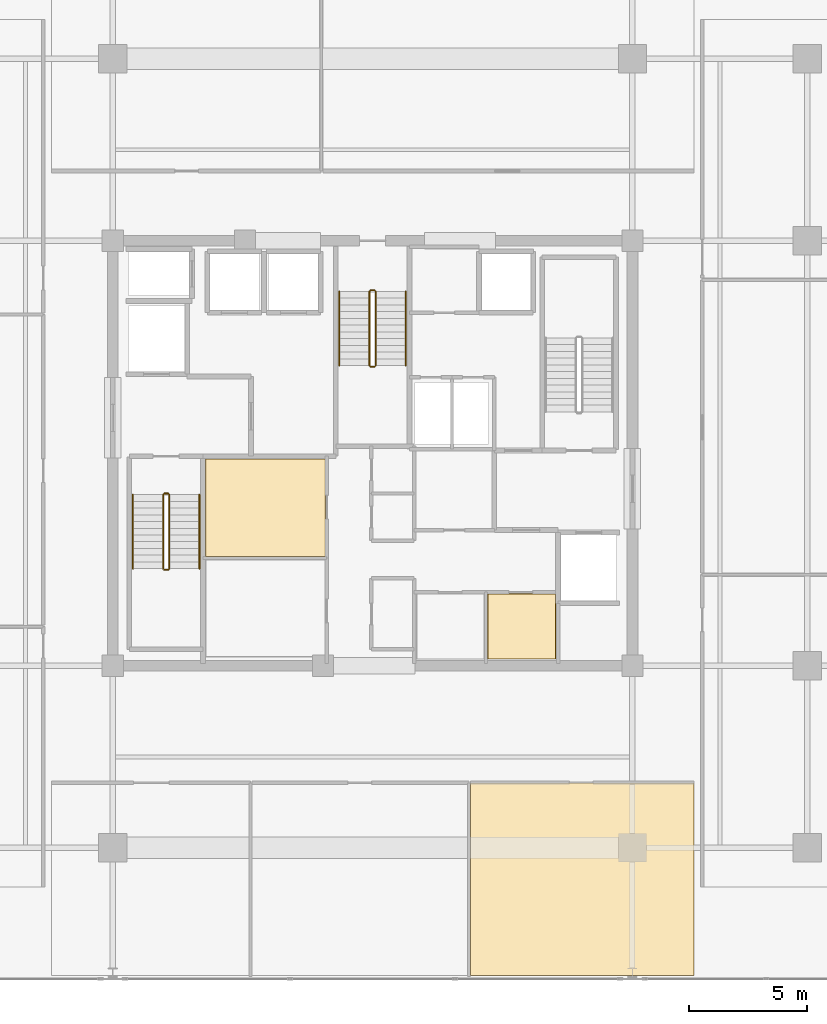
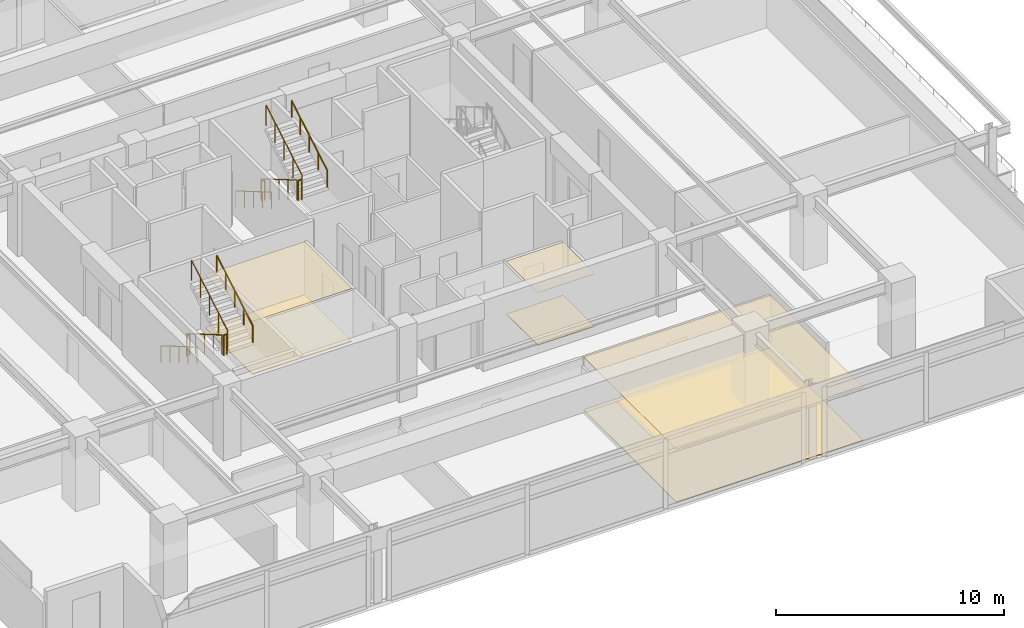
# One storey, part 18 of 20: 12 railings, 6 coverings.
"""IFC4 building model written with IfcOpenShell, lengths in metres."""

from ifc_helpers import new_model, si_unit, direction, frame, origin, origin_2d, place, context, subcontext, project, spatial, polyline, circle, outline, extrude, material, layer, layer_set, type_object, element, save


model = new_model("IFC4")

# Units and contexts
model_context = context("Model", 3, precision=1e-05, world=origin(), true_north=direction((0.0, 1.0)))
body_context = subcontext(model_context, "Body", "Model", "MODEL_VIEW")
ifc_project = project(units=[si_unit("LENGTHUNIT", "METRE"), si_unit("AREAUNIT", "SQUARE_METRE"), si_unit("VOLUMEUNIT", "CUBIC_METRE"), si_unit("PLANEANGLEUNIT", "RADIAN"), si_unit("MASSUNIT", "GRAM", prefix="KILO")], contexts=[model_context])

# Site, building, storey
site_placement = place(None, origin())
site = spatial("IfcSite", under=ifc_project, at=site_placement, CompositionType="ELEMENT")
building_placement = place(site_placement, origin())
building = spatial("IfcBuilding", under=site, at=building_placement, Name="Kovane Verandah Tower", CompositionType="ELEMENT")
storey_placement = place(building_placement, frame((0.0, 0.0, 279.199951171875)))
storey = spatial("IfcBuildingStorey", under=building, at=storey_placement, Name="L65", CompositionType="ELEMENT", Elevation=279.199951171875)

# Coverings
ifc_material_1 = material(Name="Perforated Acoustic Mineral-Fibre Ceiling Tile", Category="gypsum")
ifc_layer_1 = layer(ifc_material_1, 0.02490234375)
ifc_layer_set_1 = layer_set([ifc_layer_1], Name="Perforated Acoustic Mineral-Fibre Ceiling Tile")
covering_type_1 = type_object("IfcCoveringType", Name="CV-CEIL-25", PredefinedType="CEILING", material=ifc_layer_set_1)
covering_1_placement = place(storey_placement, frame((0.0, 0.0, 2.824951171875)))
element("IfcCovering", 1, at=covering_1_placement, inside=storey, type_object=covering_type_1, Name="L65 Telecom MDF Room Acoustic Ceiling", PredefinedType="CEILING", context=body_context, shape_type="SweptSolid", body=[
    extrude(outline(polyline([(32.93505859375, 23.125), (37.9951171875, 23.125), (37.9951171875, 27.264892578125), (32.93505859375, 27.264892578125), (32.93505859375, 23.125)])), origin(), (0.0, 0.0, 1.0), 0.025146484375),
])
covering_2_placement = place(storey_placement, frame((0.0, 0.0, 2.824951171875)))
element("IfcCovering", 2, at=covering_2_placement, inside=storey, type_object=covering_type_1, Name="L65 East IT Server Room Acoustic Ceiling", PredefinedType="CEILING", context=body_context, shape_type="SweptSolid", body=[
    extrude(outline(polyline([(44.864990234375, 18.784912109375), (47.764892578125, 18.784912109375), (47.764892578125, 21.56494140625), (44.864990234375, 21.56494140625), (44.864990234375, 18.784912109375)])), origin(), (0.0, 0.0, 1.0), 0.025146484375),
])
covering_3_placement = place(storey_placement, frame((0.0, 0.0, 2.824951171875)))
element("IfcCovering", 3, at=covering_3_placement, inside=storey, type_object=covering_type_1, Name="L65 Focus Studio S3 Acoustic Ceiling", PredefinedType="CEILING", context=body_context, shape_type="SweptSolid", body=[
    extrude(outline(polyline([(44.14990234375, 5.393798828125), (53.60009765625, 5.393798828125), (53.60009765625, 13.550048828125), (44.14990234375, 13.550048828125), (44.14990234375, 5.393798828125)])), origin(), (0.0, 0.0, 1.0), 0.025146484375),
])
ifc_material_2 = material(Name="Polished Terrazzo and Raised-Access Carpet Tile Finish", Category="concrete")
ifc_layer_2 = layer(ifc_material_2, 0.030029296875)
ifc_layer_set_2 = layer_set([ifc_layer_2], Name="Polished Terrazzo and Raised-Access Carpet Tile Finish")
covering_type_2 = type_object("IfcCoveringType", Name="CV-FLOR-30", PredefinedType="FLOORING", material=ifc_layer_set_2)
covering_4_placement = place(storey_placement, origin())
element("IfcCovering", 4, at=covering_4_placement, inside=storey, type_object=covering_type_2, Name="L65 Telecom MDF Room Floor Finish", PredefinedType="FLOORING", context=body_context, shape_type="SweptSolid", body=[
    extrude(outline(polyline([(32.949951171875, 23.139892578125), (37.97998046875, 23.139892578125), (37.97998046875, 27.25), (32.949951171875, 27.25), (32.949951171875, 23.139892578125)])), origin(), (0.0, 0.0, 1.0), 0.030029296875),
])
covering_5_placement = place(storey_placement, origin())
element("IfcCovering", 5, at=covering_5_placement, inside=storey, type_object=covering_type_2, Name="L65 East IT Server Room Floor Finish", PredefinedType="FLOORING", context=body_context, shape_type="SweptSolid", body=[
    extrude(outline(polyline([(44.8798828125, 18.800048828125), (47.75, 18.800048828125), (47.75, 21.550048828125), (44.8798828125, 21.550048828125), (44.8798828125, 18.800048828125)])), origin(), (0.0, 0.0, 1.0), 0.030029296875),
])
covering_6_placement = place(storey_placement, origin())
element("IfcCovering", 6, at=covering_6_placement, inside=storey, type_object=covering_type_2, Name="L65 Focus Studio S3 Floor Finish", PredefinedType="FLOORING", context=body_context, shape_type="SweptSolid", body=[
    extrude(outline(polyline([(44.14990234375, 5.393798828125), (53.60009765625, 5.393798828125), (53.60009765625, 13.550048828125), (44.14990234375, 13.550048828125), (44.14990234375, 5.393798828125)])), origin(), (0.0, 0.0, 1.0), 0.030029296875),
])

# Railings
ifc_material_3 = material(Name="Brushed Stainless Steel Handrail", Category="steel")
railing_type_1 = type_object("IfcRailingType", Name="RL-HAND-920", PredefinedType="HANDRAIL", material=ifc_material_3)
railing_1_placement = place(storey_placement, frame((29.85009765625, 25.75, 0.166748046875)))
element("IfcRailing", 7, at=railing_1_placement, inside=storey, type_object=railing_type_1, Name="L65 ST-01 stair handrail 1", PredefinedType="HANDRAIL", context=body_context, shape_type="SweptSolid", body=[
    extrude(circle(Radius=0.02392578125, at=origin_2d()), frame((0.0, 0.0, 0.8759765625), z_axis=(0.0, -0.863239559939, 0.504794475164), x_axis=(1.0, 0.0, 0.0)), (0.0, 0.0, 1.0), 3.631591796875),
    extrude(circle(Radius=0.02099609375, at=origin_2d()), origin(), (0.0, 0.0, 1.0), 0.851806640625),
    extrude(circle(Radius=0.02099609375, at=origin_2d()), frame((0.0, -0.78369140625, 0.458251953125)), (0.0, 0.0, 1.0), 0.851806640625),
    extrude(circle(Radius=0.02099609375, at=origin_2d()), frame((0.0, -1.5673828125, 0.91650390625)), (0.0, 0.0, 1.0), 0.851806640625),
    extrude(circle(Radius=0.02099609375, at=origin_2d()), frame((0.0, -2.351318359375, 1.375)), (0.0, 0.0, 1.0), 0.851806640625),
    extrude(circle(Radius=0.02099609375, at=origin_2d()), frame((0.0, -3.135009765625, 1.833251953125)), (0.0, 0.0, 1.0), 0.851806640625),
])
railing_2_placement = place(storey_placement, frame((32.669921875, 22.614990234375, 2.166748046875)))
element("IfcRailing", 8, at=railing_2_placement, inside=storey, type_object=railing_type_1, Name="L65 ST-01 stair handrail 2", PredefinedType="HANDRAIL", context=body_context, shape_type="SweptSolid", body=[
    extrude(circle(Radius=0.02392578125, at=origin_2d()), frame((0.0, 0.0, 0.8759765625), z_axis=(0.0, 0.863239559939, 0.504794475164), x_axis=(-1.0, 0.0, 0.0)), (0.0, 0.0, 1.0), 3.631591796875),
    extrude(circle(Radius=0.02099609375, at=origin_2d()), origin(), (0.0, 0.0, 1.0), 0.851806640625),
    extrude(circle(Radius=0.02099609375, at=origin_2d()), frame((0.0, 0.78369140625, 0.458251953125)), (0.0, 0.0, 1.0), 0.851806640625),
    extrude(circle(Radius=0.02099609375, at=origin_2d()), frame((0.0, 1.5673828125, 0.91650390625)), (0.0, 0.0, 1.0), 0.851806640625),
    extrude(circle(Radius=0.02099609375, at=origin_2d()), frame((0.0, 2.351318359375, 1.375)), (0.0, 0.0, 1.0), 0.851806640625),
    extrude(circle(Radius=0.02099609375, at=origin_2d()), frame((0.0, 3.135009765625, 1.833251953125)), (0.0, 0.0, 1.0), 0.851806640625),
])
railing_3_placement = place(storey_placement, frame((38.590087890625, 34.35009765625, 0.166748046875)))
element("IfcRailing", 9, at=railing_3_placement, inside=storey, type_object=railing_type_1, Name="L65 ST-03 stair handrail 1", PredefinedType="HANDRAIL", context=body_context, shape_type="SweptSolid", body=[
    extrude(circle(Radius=0.02392578125, at=origin_2d()), frame((0.0, 0.0, 0.8759765625), z_axis=(0.0, -0.863239559939, 0.504794475164), x_axis=(1.0, 0.0, 0.0)), (0.0, 0.0, 1.0), 3.631591796875),
    extrude(circle(Radius=0.02099609375, at=origin_2d()), origin(), (0.0, 0.0, 1.0), 0.851806640625),
    extrude(circle(Radius=0.02099609375, at=origin_2d()), frame((0.0, -0.78369140625, 0.458251953125)), (0.0, 0.0, 1.0), 0.851806640625),
    extrude(circle(Radius=0.02099609375, at=origin_2d()), frame((0.0, -1.5673828125, 0.91650390625)), (0.0, 0.0, 1.0), 0.851806640625),
    extrude(circle(Radius=0.02099609375, at=origin_2d()), frame((0.0, -2.351318359375, 1.375)), (0.0, 0.0, 1.0), 0.851806640625),
    extrude(circle(Radius=0.02099609375, at=origin_2d()), frame((0.0, -3.135009765625, 1.833251953125)), (0.0, 0.0, 1.0), 0.851806640625),
])
railing_4_placement = place(storey_placement, frame((41.409912109375, 31.215087890625, 2.166748046875)))
element("IfcRailing", 10, at=railing_4_placement, inside=storey, type_object=railing_type_1, Name="L65 ST-03 stair handrail 2", PredefinedType="HANDRAIL", context=body_context, shape_type="SweptSolid", body=[
    extrude(circle(Radius=0.02392578125, at=origin_2d()), frame((0.0, 0.0, 0.8759765625), z_axis=(0.0, 0.863239559939, 0.504794475164), x_axis=(-1.0, 0.0, 0.0)), (0.0, 0.0, 1.0), 3.631591796875),
    extrude(circle(Radius=0.02099609375, at=origin_2d()), origin(), (0.0, 0.0, 1.0), 0.851806640625),
    extrude(circle(Radius=0.02099609375, at=origin_2d()), frame((0.0, 0.78369140625, 0.458251953125)), (0.0, 0.0, 1.0), 0.851806640625),
    extrude(circle(Radius=0.02099609375, at=origin_2d()), frame((0.0, 1.5673828125, 0.91650390625)), (0.0, 0.0, 1.0), 0.851806640625),
    extrude(circle(Radius=0.02099609375, at=origin_2d()), frame((0.0, 2.351318359375, 1.375)), (0.0, 0.0, 1.0), 0.851806640625),
    extrude(circle(Radius=0.02099609375, at=origin_2d()), frame((0.0, 3.135009765625, 1.833251953125)), (0.0, 0.0, 1.0), 0.851806640625),
])
ifc_material_4 = material(Name="Painted Steel Stairwell Guardrail", Category="steel")
railing_type_2 = type_object("IfcRailingType", Name="RL-STGUARD-1120", PredefinedType="GUARDRAIL", material=ifc_material_4)
railing_5_placement = place(storey_placement, frame((31.1298828125, 25.75, 0.166748046875)))
element("IfcRailing", 11, at=railing_5_placement, inside=storey, type_object=railing_type_2, Name="L65 ST-01 stair guard 1", PredefinedType="GUARDRAIL", context=body_context, shape_type="SweptSolid", body=[
    extrude(circle(Radius=0.02392578125, at=origin_2d()), frame((0.0, 0.0, 1.076171875), z_axis=(0.0, -0.863239559939, 0.504794475164), x_axis=(1.0, 0.0, 0.0)), (0.0, 0.0, 1.0), 3.631591796875),
    extrude(circle(Radius=0.02099609375, at=origin_2d()), origin(), (0.0, 0.0, 1.0), 1.052001953125),
    extrude(circle(Radius=0.02099609375, at=origin_2d()), frame((0.0, -0.78369140625, 0.458251953125)), (0.0, 0.0, 1.0), 1.052001953125),
    extrude(circle(Radius=0.02099609375, at=origin_2d()), frame((0.0, -1.5673828125, 0.91650390625)), (0.0, 0.0, 1.0), 1.052001953125),
    extrude(circle(Radius=0.02099609375, at=origin_2d()), frame((0.0, -2.351318359375, 1.375)), (0.0, 0.0, 1.0), 1.052001953125),
    extrude(circle(Radius=0.02099609375, at=origin_2d()), frame((0.0, -3.135009765625, 1.833251953125)), (0.0, 0.0, 1.0), 1.052001953125),
])
railing_6_placement = place(storey_placement, frame((31.179931640625, 22.56494140625, 2.0)))
element("IfcRailing", 12, at=railing_6_placement, inside=storey, type_object=railing_type_2, Name="L65 ST-01 stair guard 2", PredefinedType="GUARDRAIL", context=body_context, shape_type="SweptSolid", body=[
    extrude(circle(Radius=0.02392578125, at=origin_2d()), frame((0.0, 0.0, 1.076171875), z_axis=(1.0, 0.0, 0.0), x_axis=(0.0, 1.0, 0.0)), (0.0, 0.0, 1.0), 0.16015625),
    extrude(circle(Radius=0.02099609375, at=origin_2d()), origin(), (0.0, 0.0, 1.0), 1.052001953125),
    extrude(circle(Radius=0.02099609375, at=origin_2d()), frame((0.16015625, 0.0, 0.0)), (0.0, 0.0, 1.0), 1.052001953125),
])
railing_7_placement = place(storey_placement, frame((31.389892578125, 22.614990234375, 2.166748046875)))
element("IfcRailing", 13, at=railing_7_placement, inside=storey, type_object=railing_type_2, Name="L65 ST-01 stair guard 3", PredefinedType="GUARDRAIL", context=body_context, shape_type="SweptSolid", body=[
    extrude(circle(Radius=0.02392578125, at=origin_2d()), frame((0.0, 0.0, 1.076171875), z_axis=(0.0, 0.863239559939, 0.504794475164), x_axis=(-1.0, 0.0, 0.0)), (0.0, 0.0, 1.0), 3.631591796875),
    extrude(circle(Radius=0.02099609375, at=origin_2d()), origin(), (0.0, 0.0, 1.0), 1.052001953125),
    extrude(circle(Radius=0.02099609375, at=origin_2d()), frame((0.0, 0.78369140625, 0.458251953125)), (0.0, 0.0, 1.0), 1.052001953125),
    extrude(circle(Radius=0.02099609375, at=origin_2d()), frame((0.0, 1.5673828125, 0.91650390625)), (0.0, 0.0, 1.0), 1.052001953125),
    extrude(circle(Radius=0.02099609375, at=origin_2d()), frame((0.0, 2.351318359375, 1.375)), (0.0, 0.0, 1.0), 1.052001953125),
    extrude(circle(Radius=0.02099609375, at=origin_2d()), frame((0.0, 3.135009765625, 1.833251953125)), (0.0, 0.0, 1.0), 1.052001953125),
])
railing_8_placement = place(storey_placement, frame((31.179931640625, 25.800048828125, 0.0)))
element("IfcRailing", 14, at=railing_8_placement, inside=storey, type_object=railing_type_2, Name="L65 ST-01 stair guard 4", PredefinedType="GUARDRAIL", context=body_context, shape_type="SweptSolid", body=[
    extrude(circle(Radius=0.02392578125, at=origin_2d()), frame((0.0, 0.0, 1.076171875), z_axis=(1.0, 0.0, 0.0), x_axis=(0.0, 1.0, 0.0)), (0.0, 0.0, 1.0), 0.16015625),
    extrude(circle(Radius=0.02099609375, at=origin_2d()), origin(), (0.0, 0.0, 1.0), 1.052001953125),
    extrude(circle(Radius=0.02099609375, at=origin_2d()), frame((0.16015625, 0.0, 0.0)), (0.0, 0.0, 1.0), 1.052001953125),
])
railing_9_placement = place(storey_placement, frame((39.8701171875, 34.35009765625, 0.166748046875)))
element("IfcRailing", 15, at=railing_9_placement, inside=storey, type_object=railing_type_2, Name="L65 ST-03 stair guard 1", PredefinedType="GUARDRAIL", context=body_context, shape_type="SweptSolid", body=[
    extrude(circle(Radius=0.02392578125, at=origin_2d()), frame((0.0, 0.0, 1.076171875), z_axis=(0.0, -0.863239559939, 0.504794475164), x_axis=(1.0, 0.0, 0.0)), (0.0, 0.0, 1.0), 3.631591796875),
    extrude(circle(Radius=0.02099609375, at=origin_2d()), origin(), (0.0, 0.0, 1.0), 1.052001953125),
    extrude(circle(Radius=0.02099609375, at=origin_2d()), frame((0.0, -0.78369140625, 0.458251953125)), (0.0, 0.0, 1.0), 1.052001953125),
    extrude(circle(Radius=0.02099609375, at=origin_2d()), frame((0.0, -1.5673828125, 0.91650390625)), (0.0, 0.0, 1.0), 1.052001953125),
    extrude(circle(Radius=0.02099609375, at=origin_2d()), frame((0.0, -2.351318359375, 1.375)), (0.0, 0.0, 1.0), 1.052001953125),
    extrude(circle(Radius=0.02099609375, at=origin_2d()), frame((0.0, -3.135009765625, 1.833251953125)), (0.0, 0.0, 1.0), 1.052001953125),
])
railing_10_placement = place(storey_placement, frame((39.919921875, 31.1650390625, 2.0)))
element("IfcRailing", 16, at=railing_10_placement, inside=storey, type_object=railing_type_2, Name="L65 ST-03 stair guard 2", PredefinedType="GUARDRAIL", context=body_context, shape_type="SweptSolid", body=[
    extrude(circle(Radius=0.02392578125, at=origin_2d()), frame((0.0, 0.0, 1.076171875), z_axis=(1.0, 0.0, 0.0), x_axis=(0.0, 1.0, 0.0)), (0.0, 0.0, 1.0), 0.16015625),
    extrude(circle(Radius=0.02099609375, at=origin_2d()), origin(), (0.0, 0.0, 1.0), 1.052001953125),
    extrude(circle(Radius=0.02099609375, at=origin_2d()), frame((0.16015625, 0.0, 0.0)), (0.0, 0.0, 1.0), 1.052001953125),
])
railing_11_placement = place(storey_placement, frame((40.1298828125, 31.215087890625, 2.166748046875)))
element("IfcRailing", 17, at=railing_11_placement, inside=storey, type_object=railing_type_2, Name="L65 ST-03 stair guard 3", PredefinedType="GUARDRAIL", context=body_context, shape_type="SweptSolid", body=[
    extrude(circle(Radius=0.02392578125, at=origin_2d()), frame((0.0, 0.0, 1.076171875), z_axis=(0.0, 0.863239559939, 0.504794475164), x_axis=(-1.0, 0.0, 0.0)), (0.0, 0.0, 1.0), 3.631591796875),
    extrude(circle(Radius=0.02099609375, at=origin_2d()), origin(), (0.0, 0.0, 1.0), 1.052001953125),
    extrude(circle(Radius=0.02099609375, at=origin_2d()), frame((0.0, 0.78369140625, 0.458251953125)), (0.0, 0.0, 1.0), 1.052001953125),
    extrude(circle(Radius=0.02099609375, at=origin_2d()), frame((0.0, 1.5673828125, 0.91650390625)), (0.0, 0.0, 1.0), 1.052001953125),
    extrude(circle(Radius=0.02099609375, at=origin_2d()), frame((0.0, 2.351318359375, 1.375)), (0.0, 0.0, 1.0), 1.052001953125),
    extrude(circle(Radius=0.02099609375, at=origin_2d()), frame((0.0, 3.135009765625, 1.833251953125)), (0.0, 0.0, 1.0), 1.052001953125),
])
railing_12_placement = place(storey_placement, frame((39.919921875, 34.39990234375, 0.0)))
element("IfcRailing", 18, at=railing_12_placement, inside=storey, type_object=railing_type_2, Name="L65 ST-03 stair guard 4", PredefinedType="GUARDRAIL", context=body_context, shape_type="SweptSolid", body=[
    extrude(circle(Radius=0.02392578125, at=origin_2d()), frame((0.0, 0.0, 1.076171875), z_axis=(1.0, 0.0, 0.0), x_axis=(0.0, 1.0, 0.0)), (0.0, 0.0, 1.0), 0.16015625),
    extrude(circle(Radius=0.02099609375, at=origin_2d()), origin(), (0.0, 0.0, 1.0), 1.052001953125),
    extrude(circle(Radius=0.02099609375, at=origin_2d()), frame((0.16015625, 0.0, 0.0)), (0.0, 0.0, 1.0), 1.052001953125),
])

save(model, "model.ifc")
